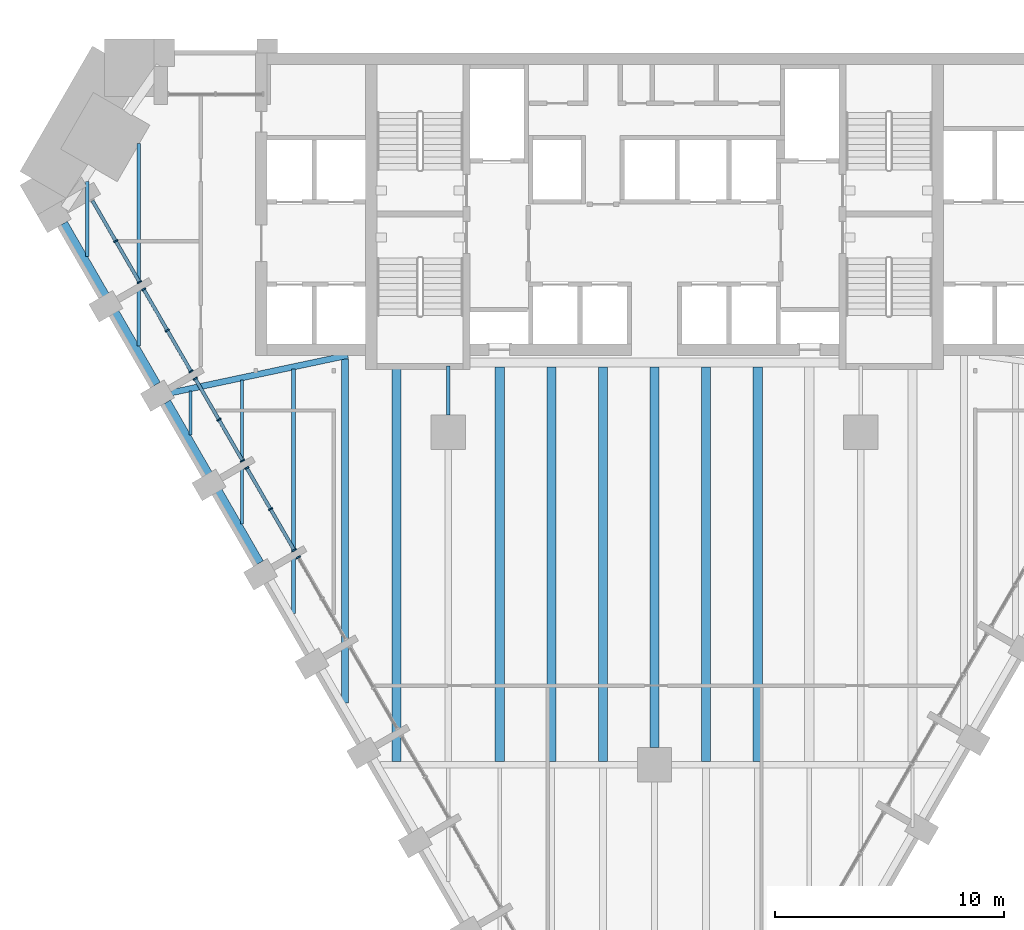
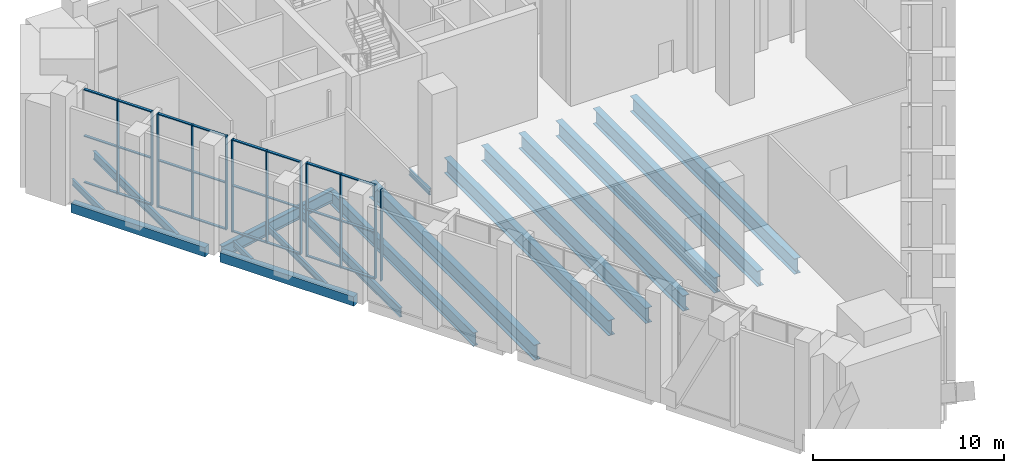
# One storey, part 5 of 17: 36 members, 17 beams, 5 elements without a shape of their own.
"""IFC4 building model written with IfcOpenShell, lengths in metres."""

from ifc_helpers import new_model, si_unit, direction, frame, origin, origin_2d, place, context, subcontext, project, spatial, rectangle, i_section, extrude, material, material_profile, profile_set, type_object, element, aggregate, save


model = new_model("IFC4")

# Units and contexts
model_context = context("Model", 3, precision=1e-05, world=origin(), true_north=direction((0.0, 1.0)))
body_context = subcontext(model_context, "Body", "Model", "MODEL_VIEW")
ifc_project = project(units=[si_unit("LENGTHUNIT", "METRE"), si_unit("AREAUNIT", "SQUARE_METRE"), si_unit("VOLUMEUNIT", "CUBIC_METRE"), si_unit("PLANEANGLEUNIT", "RADIAN"), si_unit("MASSUNIT", "GRAM", prefix="KILO")], contexts=[model_context])

# Site, building, storey
site_placement = place(None, origin())
site = spatial("IfcSite", under=ifc_project, at=site_placement, CompositionType="ELEMENT")
building_placement = place(site_placement, origin())
building = spatial("IfcBuilding", under=site, at=building_placement, Name="Calabash Gate Tower", CompositionType="ELEMENT")
storey_placement = place(building_placement, frame((0.0, 0.0, 132.60009765625)))
storey = spatial("IfcBuildingStorey", under=building, at=storey_placement, Name="L31", CompositionType="ELEMENT", Elevation=132.60009765625)

# Beams
ifc_material_1 = material(Name="Concrete C60/75", Category="concrete")
ifc_material_profile_1 = material_profile(ifc_material_1, rectangle(XDim=0.39990234375, YDim=0.60009765625, at=origin_2d()))
ifc_profile_set_1 = profile_set([ifc_material_profile_1], Name="Concrete C60/75")
beam_type_1 = type_object("IfcBeamType", Name="Edge beam RC 400x600 Concrete C60/75", PredefinedType="BEAM", material=ifc_profile_set_1)
beam_1_placement = place(storey_placement, frame((-25.7900390625, 11.60693359375, -0.47021484375), z_axis=(0.49989548915, -0.866085734744, 0.0), x_axis=(0.866085734744, 0.49989548915, 0.0)))
element("IfcBeam", 1, at=beam_1_placement, inside=storey, type_object=beam_type_1, Name="Edge beam L31 19", PredefinedType="BEAM", context=body_context, shape_type="SweptSolid", body=[
    extrude(rectangle(XDim=0.39990234375, YDim=0.60009765625, at=origin_2d()), origin(), (0.0, 0.0, 1.0), 8.101806640625),
])
beam_2_placement = place(storey_placement, frame((-21.2900390625, 3.81005859375, -0.47021484375), z_axis=(0.500039036678, -0.866002864775, 0.0), x_axis=(0.866002864775, 0.500039036678, 0.0)))
element("IfcBeam", 2, at=beam_2_placement, inside=storey, type_object=beam_type_1, Name="Edge beam L31 20", PredefinedType="BEAM", context=body_context, shape_type="SweptSolid", body=[
    extrude(rectangle(XDim=0.39990234375, YDim=0.60009765625, at=origin_2d()), origin(), (0.0, 0.0, 1.0), 8.099365234375),
])
ifc_material_2 = material(Name="Steel ASTM A992 Gr50", Category="steel")
ifc_material_profile_2 = material_profile(ifc_material_2, i_section(OverallWidth=0.1396484375, OverallDepth=0.398681640625, WebThickness=0.00634765625, FlangeThickness=0.0087890625, FilletRadius=0.01025390625, at=origin_2d()))
ifc_profile_set_2 = profile_set([ifc_material_profile_2], Name="Steel ASTM A992 Gr50")
beam_type_2 = type_object("IfcBeamType", Name="Floor beam W16x26 ASTM A992 Gr50", PredefinedType="BEAM", material=ifc_profile_set_2)
beam_3_placement = place(storey_placement, frame((-24.75, 10.1708984375, -0.369140625), z_axis=(0.0, 1.0, 0.0), x_axis=(-1.0, 0.0, 0.0)))
element("IfcBeam", 3, at=beam_3_placement, inside=storey, type_object=beam_type_2, Name="Floor beam L31 1", PredefinedType="BEAM", context=body_context, shape_type="SweptSolid", body=[
    extrude(i_section(OverallWidth=0.1396484375, OverallDepth=0.398681640625, WebThickness=0.00634765625, FlangeThickness=0.0087890625, FilletRadius=0.01025390625, at=origin_2d()), origin(), (0.0, 0.0, 1.0), 3.26513671875),
])
beam_4_placement = place(storey_placement, frame((-20.25, 2.376953125, -0.369140625), z_axis=(0.0, 1.0, 0.0), x_axis=(-1.0, 0.0, 0.0)))
element("IfcBeam", 4, at=beam_4_placement, inside=storey, type_object=beam_type_2, Name="Floor beam L31 3", PredefinedType="BEAM", context=body_context, shape_type="SweptSolid", body=[
    extrude(i_section(OverallWidth=0.1396484375, OverallDepth=0.398681640625, WebThickness=0.00634765625, FlangeThickness=0.0087890625, FilletRadius=0.01025390625, at=origin_2d()), origin(), (0.0, 0.0, 1.0), 1.924072265625),
])
beam_5_placement = place(storey_placement, frame((-18.0, -1.5, -0.369140625), z_axis=(0.0, 1.0, 0.0), x_axis=(-1.0, 0.0, 0.0)))
element("IfcBeam", 5, at=beam_5_placement, inside=storey, type_object=beam_type_2, Name="Floor beam L31 4", PredefinedType="BEAM", context=body_context, shape_type="SweptSolid", body=[
    extrude(i_section(OverallWidth=0.1396484375, OverallDepth=0.398681640625, WebThickness=0.00634765625, FlangeThickness=0.0087890625, FilletRadius=0.01025390625, at=origin_2d()), origin(), (0.0, 0.0, 1.0), 6.277099609375),
])
beam_6_placement = place(storey_placement, frame((-9.0, 3.25, -0.369140625), z_axis=(0.0, 1.0, 0.0), x_axis=(-1.0, 0.0, 0.0)))
element("IfcBeam", 6, at=beam_6_placement, inside=storey, type_object=beam_type_2, Name="Floor beam L31 10", PredefinedType="BEAM", context=body_context, shape_type="SweptSolid", body=[
    extrude(i_section(OverallWidth=0.1396484375, OverallDepth=0.398681640625, WebThickness=0.00634765625, FlangeThickness=0.0087890625, FilletRadius=0.01025390625, at=origin_2d()), origin(), (0.0, 0.0, 1.0), 2.153076171875),
])
ifc_material_3 = material(Name="Steel ASTM A992 Gr50", Category="steel")
ifc_material_profile_3 = material_profile(ifc_material_3, i_section(OverallWidth=0.166015625, OverallDepth=0.5283203125, WebThickness=0.009765625, FlangeThickness=0.013671875, FilletRadius=0.0126953125, at=origin_2d()))
ifc_profile_set_3 = profile_set([ifc_material_profile_3], Name="Steel ASTM A992 Gr50")
beam_type_3 = type_object("IfcBeamType", Name="Floor beam W21x50 ASTM A992 Gr50", PredefinedType="BEAM", material=ifc_profile_set_3)
beam_7_placement = place(storey_placement, frame((-22.5, 6.27392578125, -0.43408203125), z_axis=(0.0, 1.0, 0.0), x_axis=(-1.0, 0.0, 0.0)))
element("IfcBeam", 7, at=beam_7_placement, inside=storey, type_object=beam_type_3, Name="Floor beam L31 2", PredefinedType="BEAM", context=body_context, shape_type="SweptSolid", body=[
    extrude(i_section(OverallWidth=0.166015625, OverallDepth=0.5283203125, WebThickness=0.009765625, FlangeThickness=0.013671875, FilletRadius=0.0126953125, at=origin_2d()), origin(), (0.0, 0.0, 1.0), 8.822998046875),
])
ifc_material_4 = material(Name="Steel ASTM A992 Gr50", Category="steel")
ifc_material_profile_4 = material_profile(ifc_material_4, i_section(OverallWidth=0.1787109375, OverallDepth=0.60205078125, WebThickness=0.010986328125, FlangeThickness=0.014892578125, FilletRadius=0.0126953125, at=origin_2d()))
ifc_profile_set_4 = profile_set([ifc_material_profile_4], Name="Steel ASTM A992 Gr50")
beam_type_4 = type_object("IfcBeamType", Name="Floor beam W24x62 ASTM A992 Gr50", PredefinedType="BEAM", material=ifc_profile_set_4)
beam_8_placement = place(storey_placement, frame((-15.75, -5.39697265625, -0.47119140625), z_axis=(0.0, 1.0, 0.0), x_axis=(-1.0, 0.0, 0.0)))
element("IfcBeam", 8, at=beam_8_placement, inside=storey, type_object=beam_type_4, Name="Floor beam L31 5", PredefinedType="BEAM", context=body_context, shape_type="SweptSolid", body=[
    extrude(i_section(OverallWidth=0.1787109375, OverallDepth=0.60205078125, WebThickness=0.010986328125, FlangeThickness=0.014892578125, FilletRadius=0.0126953125, at=origin_2d()), origin(), (0.0, 0.0, 1.0), 10.65087890625),
])
ifc_material_5 = material(Name="Steel ASTM A992 Gr50", Category="steel")
ifc_material_profile_5 = material_profile(ifc_material_5, i_section(OverallWidth=0.2919921875, OverallDepth=0.845703125, WebThickness=0.015380859375, FlangeThickness=0.0244140625, FilletRadius=0.017822265625, at=origin_2d()))
ifc_profile_set_5 = profile_set([ifc_material_profile_5], Name="Steel ASTM A992 Gr50")
beam_type_5 = type_object("IfcBeamType", Name="Floor beam W33x141 ASTM A992 Gr50", PredefinedType="BEAM", material=ifc_profile_set_5)
beam_9_placement = place(storey_placement, frame((-13.5, -9.31396484375, -0.593017578125), z_axis=(0.0, 1.0, 0.0), x_axis=(-1.0, 0.0, 0.0)))
element("IfcBeam", 9, at=beam_9_placement, inside=storey, type_object=beam_type_5, Name="Floor beam L31 6", PredefinedType="BEAM", context=body_context, shape_type="SweptSolid", body=[
    extrude(i_section(OverallWidth=0.2919921875, OverallDepth=0.845703125, WebThickness=0.015380859375, FlangeThickness=0.0244140625, FilletRadius=0.017822265625, at=origin_2d()), origin(), (0.0, 0.0, 1.0), 15.02392578125),
])
ifc_material_6 = material(Name="Steel ASTM A992 Gr50", Category="steel")
ifc_material_profile_6 = material_profile(ifc_material_6, i_section(OverallWidth=0.4013671875, OverallDepth=0.990478515625, WebThickness=0.0166015625, FlangeThickness=0.031005859375, FilletRadius=0.030029296875, at=origin_2d()))
ifc_profile_set_6 = profile_set([ifc_material_profile_6], Name="Steel ASTM A992 Gr50")
beam_type_6 = type_object("IfcBeamType", Name="Floor beam W40x215 ASTM A992 Gr50", PredefinedType="BEAM", material=ifc_profile_set_6)
beam_10_placement = place(storey_placement, frame((-11.25, -11.866943359375, -0.6630859375), z_axis=(0.0, 1.0, 0.0), x_axis=(-1.0, 0.0, 0.0)))
element("IfcBeam", 10, at=beam_10_placement, inside=storey, type_object=beam_type_6, Name="Floor beam L31 7", PredefinedType="BEAM", context=body_context, shape_type="SweptSolid", body=[
    extrude(i_section(OverallWidth=0.4013671875, OverallDepth=0.990478515625, WebThickness=0.0166015625, FlangeThickness=0.031005859375, FilletRadius=0.030029296875, at=origin_2d()), origin(), (0.0, 0.0, 1.0), 17.27001953125),
])
for number, where, z_axis, x_axis, name in (
    (11, (-6.75, -11.866943359375, -0.6630859375), (0.0, 1.0, 0.0), (-1.0, 0.0, 0.0), "Floor beam L31 12"),
    (12, (-4.5, -11.866943359375, -0.6630859375), (0.0, 1.0, 0.0), (-1.0, 0.0, 0.0), "Floor beam L31 14"),
    (13, (-2.25, -11.866943359375, -0.6630859375), (0.0, 1.0, 0.0), (-1.0, 0.0, 0.0), "Floor beam L31 16"),
):
    element("IfcBeam", number, at=place(storey_placement, frame(where, z_axis=z_axis, x_axis=x_axis)), inside=storey, type_object=beam_type_6, Name=name, PredefinedType="BEAM", context=body_context, shape_type="SweptSolid", body=[
        extrude(i_section(OverallWidth=0.4013671875, OverallDepth=0.990478515625, WebThickness=0.0166015625, FlangeThickness=0.031005859375, FilletRadius=0.030029296875, at=origin_2d()), origin(), (0.0, 0.0, 1.0), 17.218994140625),
    ])
beam_11_placement = place(storey_placement, frame((0.0, -11.25, -0.6630859375), z_axis=(0.0, 1.0, 0.0), x_axis=(-1.0, 0.0, 0.0)))
element("IfcBeam", 14, at=beam_11_placement, inside=storey, type_object=beam_type_6, Name="Floor beam L31 18", PredefinedType="BEAM", context=body_context, shape_type="SweptSolid", body=[
    extrude(i_section(OverallWidth=0.4013671875, OverallDepth=0.990478515625, WebThickness=0.0166015625, FlangeThickness=0.031005859375, FilletRadius=0.030029296875, at=origin_2d()), origin(), (0.0, 0.0, 1.0), 16.60205078125),
])
for number, where, z_axis, x_axis, name in (
    (15, (2.25, -11.866943359375, -0.6630859375), (0.0, 1.0, 0.0), (-1.0, 0.0, 0.0), "Floor beam L31 20"),
    (16, (4.5, -11.866943359375, -0.6630859375), (0.0, 1.0, 0.0), (-1.0, 0.0, 0.0), "Floor beam L31 22"),
):
    element("IfcBeam", number, at=place(storey_placement, frame(where, z_axis=z_axis, x_axis=x_axis)), inside=storey, type_object=beam_type_6, Name=name, PredefinedType="BEAM", context=body_context, shape_type="SweptSolid", body=[
        extrude(i_section(OverallWidth=0.4013671875, OverallDepth=0.990478515625, WebThickness=0.0166015625, FlangeThickness=0.031005859375, FilletRadius=0.030029296875, at=origin_2d()), origin(), (0.0, 0.0, 1.0), 17.218994140625),
    ])
ifc_material_7 = material(Name="Steel ASTM A992 Gr50", Category="steel")
ifc_material_profile_7 = material_profile(ifc_material_7, i_section(OverallWidth=0.2666015625, OverallDepth=0.77978515625, WebThickness=0.0166015625, FlangeThickness=0.030029296875, FilletRadius=0.0166015625, at=origin_2d()))
ifc_profile_set_7 = profile_set([ifc_material_profile_7], Name="Steel ASTM A992 Gr50")
beam_type_7 = type_object("IfcBeamType", Name="Girder W30x148 ASTM A992 Gr50", PredefinedType="BEAM", material=ifc_profile_set_7)
beam_12_placement = place(storey_placement, frame((-21.092041015625, 4.22607421875, -0.56005859375), z_axis=(0.978296589788, 0.207209513317, 0.0), x_axis=(-0.207209513317, 0.978296589788, 0.0)))
element("IfcBeam", 17, at=beam_12_placement, inside=storey, type_object=beam_type_7, Name="Girder L31 2", PredefinedType="BEAM", context=body_context, shape_type="SweptSolid", body=[
    extrude(i_section(OverallWidth=0.2666015625, OverallDepth=0.77978515625, WebThickness=0.0166015625, FlangeThickness=0.030029296875, FilletRadius=0.0166015625, at=origin_2d()), origin(), (0.0, 0.0, 1.0), 7.880126953125),
])

# Curtain wall, members
ifc_material_8 = material(Name="Anodised aluminium frame, bronze finish, clear laminated low-emissivity glazing", Category="aluminium")
curtain_wall_type = type_object("IfcCurtainWallType", Name="Curtain wall CWS sky lobby wall", PredefinedType="NOTDEFINED", material=ifc_material_8)
curtain_wall_1_placement = place(storey_placement, origin())
curtain_wall_1 = element("IfcCurtainWall", 18, at=curtain_wall_1_placement, inside=storey, type_object=curtain_wall_type, Name="Curtain wall CWS L31 SW0.1", PredefinedType="NOTDEFINED")
ifc_material_9 = material(Name="Anodised aluminium frame, bronze finish", Category="aluminium")
ifc_material_profile_8 = material_profile(ifc_material_9, rectangle(XDim=0.199951171875, YDim=0.06494140625, at=origin_2d()))
ifc_profile_set_8 = profile_set([ifc_material_profile_8], Name="Anodised aluminium frame, bronze finish")
member_type_1 = type_object("IfcMemberType", Name="Mullion CWS 65x200", PredefinedType="MULLION", material=ifc_profile_set_8)
member_1_placement = place(storey_placement, frame((-23.50439453125, 10.845947265625, 0.0), z_axis=(0.0, 0.0, 1.0), x_axis=(0.866025362359, 0.500000071751, 0.0)))
member_1 = element("IfcMember", 19, at=member_1_placement, type_object=member_type_1, Name="CWS mullion 2", PredefinedType="MULLION", context=body_context, shape_type="SweptSolid", body=[
    extrude(rectangle(XDim=0.199951171875, YDim=0.06494140625, at=origin_2d()), origin(), (0.0, 0.0, 1.0), 6.0),
])
member_2_placement = place(storey_placement, frame((-22.470703125, 9.055419921875, 0.0), z_axis=(0.0, 0.0, 1.0), x_axis=(0.866025362359, 0.500000071751, 0.0)))
member_2 = element("IfcMember", 20, at=member_2_placement, type_object=member_type_1, Name="CWS mullion 3", PredefinedType="MULLION", context=body_context, shape_type="SweptSolid", body=[
    extrude(rectangle(XDim=0.199951171875, YDim=0.06494140625, at=origin_2d()), origin(), (0.0, 0.0, 1.0), 6.0),
])

curtain_wall_2_placement = place(storey_placement, origin())
curtain_wall_2 = element("IfcCurtainWall", 21, at=curtain_wall_2_placement, inside=storey, type_object=curtain_wall_type, Name="Curtain wall CWS L31 SW0.2", PredefinedType="NOTDEFINED")
member_3_placement = place(storey_placement, frame((-22.2880859375, 8.7392578125, 0.0), z_axis=(0.0, 0.0, 1.0), x_axis=(0.866025421884, 0.499999968652, 0.0)))
member_3 = element("IfcMember", 22, at=member_3_placement, type_object=member_type_1, Name="CWS mullion 1", PredefinedType="MULLION", context=body_context, shape_type="SweptSolid", body=[
    extrude(rectangle(XDim=0.199951171875, YDim=0.06494140625, at=origin_2d()), origin(), (0.0, 0.0, 1.0), 6.0),
])
member_4_placement = place(storey_placement, frame((-21.25439453125, 6.94873046875, 0.0), z_axis=(0.0, 0.0, 1.0), x_axis=(0.866025421884, 0.499999968652, 0.0)))
member_4 = element("IfcMember", 23, at=member_4_placement, type_object=member_type_1, Name="CWS mullion 2", PredefinedType="MULLION", context=body_context, shape_type="SweptSolid", body=[
    extrude(rectangle(XDim=0.199951171875, YDim=0.06494140625, at=origin_2d()), origin(), (0.0, 0.0, 1.0), 6.0),
])
member_5_placement = place(storey_placement, frame((-20.220703125, 5.158203125, 0.0), z_axis=(0.0, 0.0, 1.0), x_axis=(0.866025421884, 0.499999968652, 0.0)))
member_5 = element("IfcMember", 24, at=member_5_placement, type_object=member_type_1, Name="CWS mullion 3", PredefinedType="MULLION", context=body_context, shape_type="SweptSolid", body=[
    extrude(rectangle(XDim=0.199951171875, YDim=0.06494140625, at=origin_2d()), origin(), (0.0, 0.0, 1.0), 6.0),
])

curtain_wall_3_placement = place(storey_placement, origin())
curtain_wall_3 = element("IfcCurtainWall", 25, at=curtain_wall_3_placement, inside=storey, type_object=curtain_wall_type, Name="Curtain wall CWS L31 SW0.3", PredefinedType="NOTDEFINED")
member_6_placement = place(storey_placement, frame((-20.0380859375, 4.842041015625, 0.0), z_axis=(0.0, 0.0, 1.0), x_axis=(0.866025421884, 0.499999968652, 0.0)))
member_6 = element("IfcMember", 26, at=member_6_placement, type_object=member_type_1, Name="CWS mullion 1", PredefinedType="MULLION", context=body_context, shape_type="SweptSolid", body=[
    extrude(rectangle(XDim=0.199951171875, YDim=0.06494140625, at=origin_2d()), origin(), (0.0, 0.0, 1.0), 5.919921875),
])
member_7_placement = place(storey_placement, frame((-19.00439453125, 3.051513671875, 0.0), z_axis=(0.0, 0.0, 1.0), x_axis=(0.866025421884, 0.499999968652, 0.0)))
member_7 = element("IfcMember", 27, at=member_7_placement, type_object=member_type_1, Name="CWS mullion 2", PredefinedType="MULLION", context=body_context, shape_type="SweptSolid", body=[
    extrude(rectangle(XDim=0.199951171875, YDim=0.06494140625, at=origin_2d()), origin(), (0.0, 0.0, 1.0), 5.919921875),
])
member_8_placement = place(storey_placement, frame((-17.970703125, 1.26123046875, 0.0), z_axis=(0.0, 0.0, 1.0), x_axis=(0.866025421884, 0.499999968652, 0.0)))
member_8 = element("IfcMember", 28, at=member_8_placement, type_object=member_type_1, Name="CWS mullion 3", PredefinedType="MULLION", context=body_context, shape_type="SweptSolid", body=[
    extrude(rectangle(XDim=0.199951171875, YDim=0.06494140625, at=origin_2d()), origin(), (0.0, 0.0, 1.0), 5.919921875),
])

curtain_wall_4_placement = place(storey_placement, origin())
curtain_wall_4 = element("IfcCurtainWall", 29, at=curtain_wall_4_placement, inside=storey, type_object=curtain_wall_type, Name="Curtain wall CWS L31 SW0.4", PredefinedType="NOTDEFINED")
member_9_placement = place(storey_placement, frame((-17.7880859375, 0.945068359375, 0.0), z_axis=(0.0, 0.0, 1.0), x_axis=(0.866025362359, 0.500000071751, 0.0)))
member_9 = element("IfcMember", 30, at=member_9_placement, type_object=member_type_1, Name="CWS mullion 1", PredefinedType="MULLION", context=body_context, shape_type="SweptSolid", body=[
    extrude(rectangle(XDim=0.199951171875, YDim=0.06494140625, at=origin_2d()), origin(), (0.0, 0.0, 1.0), 6.0),
])
member_10_placement = place(storey_placement, frame((-16.75439453125, -0.845458984375, 0.0), z_axis=(0.0, 0.0, 1.0), x_axis=(0.866025362359, 0.500000071751, 0.0)))
member_10 = element("IfcMember", 31, at=member_10_placement, type_object=member_type_1, Name="CWS mullion 2", PredefinedType="MULLION", context=body_context, shape_type="SweptSolid", body=[
    extrude(rectangle(XDim=0.199951171875, YDim=0.06494140625, at=origin_2d()), origin(), (0.0, 0.0, 1.0), 6.0),
])
member_11_placement = place(storey_placement, frame((-15.720703125, -2.635986328125, 0.0), z_axis=(0.0, 0.0, 1.0), x_axis=(0.866025362359, 0.500000071751, 0.0)))
member_11 = element("IfcMember", 32, at=member_11_placement, type_object=member_type_1, Name="CWS mullion 3", PredefinedType="MULLION", context=body_context, shape_type="SweptSolid", body=[
    extrude(rectangle(XDim=0.199951171875, YDim=0.06494140625, at=origin_2d()), origin(), (0.0, 0.0, 1.0), 6.0),
])

# Curtain wall, member
curtain_wall_5_placement = place(storey_placement, origin())
curtain_wall_5 = element("IfcCurtainWall", 33, at=curtain_wall_5_placement, inside=storey, type_object=curtain_wall_type, Name="Curtain wall CWS L31 SW0.5", PredefinedType="NOTDEFINED")
member_12_placement = place(storey_placement, frame((-15.5380859375, -2.9521484375, 0.0), z_axis=(0.0, 0.0, 1.0), x_axis=(0.866025421884, 0.499999968652, 0.0)))
member_12 = element("IfcMember", 34, at=member_12_placement, type_object=member_type_1, Name="CWS mullion 1", PredefinedType="MULLION", context=body_context, shape_type="SweptSolid", body=[
    extrude(rectangle(XDim=0.199951171875, YDim=0.06494140625, at=origin_2d()), origin(), (0.0, 0.0, 1.0), 5.85400390625),
])
aggregate(curtain_wall_5, [member_12])

# Member
ifc_material_10 = material(Name="Anodised aluminium frame, bronze finish", Category="aluminium")
ifc_material_profile_9 = material_profile(ifc_material_10, rectangle(XDim=0.14990234375, YDim=0.06494140625, at=origin_2d()))
ifc_profile_set_9 = profile_set([ifc_material_profile_9], Name="Anodised aluminium frame, bronze finish")
member_type_2 = type_object("IfcMemberType", Name="Transom CWS 65x150", PredefinedType="USERDEFINED", material=ifc_profile_set_9)
member_13_placement = place(storey_placement, frame((-24.521728515625, 12.608154296875, 0.032470703125), z_axis=(0.500007410291, -0.866021125408, 0.0), x_axis=(0.866021125408, 0.500007410291, 0.0)))
member_13 = element("IfcMember", 35, at=member_13_placement, type_object=member_type_2, Name="CWS transom 1.1", ObjectType="TRANSOM", PredefinedType="USERDEFINED", context=body_context, shape_type="SweptSolid", body=[
    extrude(rectangle(XDim=0.14990234375, YDim=0.06494140625, at=origin_2d()), origin(), (0.0, 0.0, 1.0), 2.00244140625),
])

member_14_placement = place(storey_placement, frame((-24.521728515625, 12.608154296875, 3.0), z_axis=(0.500007410291, -0.866021125408, 0.0), x_axis=(0.866021125408, 0.500007410291, 0.0)))
member_14 = element("IfcMember", 36, at=member_14_placement, type_object=member_type_2, Name="CWS transom 1.2", ObjectType="TRANSOM", PredefinedType="USERDEFINED", context=body_context, shape_type="SweptSolid", body=[
    extrude(rectangle(XDim=0.14990234375, YDim=0.06494140625, at=origin_2d()), origin(), (0.0, 0.0, 1.0), 2.00244140625),
])

member_15_placement = place(storey_placement, frame((-24.521728515625, 12.608154296875, 5.96728515625), z_axis=(0.500007410291, -0.866021125408, 0.0), x_axis=(0.866021125408, 0.500007410291, 0.0)))
member_15 = element("IfcMember", 37, at=member_15_placement, type_object=member_type_2, Name="CWS transom 1.3", ObjectType="TRANSOM", PredefinedType="USERDEFINED", context=body_context, shape_type="SweptSolid", body=[
    extrude(rectangle(XDim=0.14990234375, YDim=0.06494140625, at=origin_2d()), origin(), (0.0, 0.0, 1.0), 2.00244140625),
])

member_16_placement = place(storey_placement, frame((-23.488037109375, 10.817626953125, 0.032470703125), z_axis=(0.500007410291, -0.866021125408, 0.0), x_axis=(0.866021125408, 0.500007410291, 0.0)))
member_16 = element("IfcMember", 38, at=member_16_placement, type_object=member_type_2, Name="CWS transom 2.1", ObjectType="TRANSOM", PredefinedType="USERDEFINED", context=body_context, shape_type="SweptSolid", body=[
    extrude(rectangle(XDim=0.14990234375, YDim=0.06494140625, at=origin_2d()), origin(), (0.0, 0.0, 1.0), 2.00244140625),
])

member_17_placement = place(storey_placement, frame((-23.488037109375, 10.817626953125, 3.0), z_axis=(0.500007410291, -0.866021125408, 0.0), x_axis=(0.866021125408, 0.500007410291, 0.0)))
member_17 = element("IfcMember", 39, at=member_17_placement, type_object=member_type_2, Name="CWS transom 2.2", ObjectType="TRANSOM", PredefinedType="USERDEFINED", context=body_context, shape_type="SweptSolid", body=[
    extrude(rectangle(XDim=0.14990234375, YDim=0.06494140625, at=origin_2d()), origin(), (0.0, 0.0, 1.0), 2.00244140625),
])

member_18_placement = place(storey_placement, frame((-23.488037109375, 10.817626953125, 5.96728515625), z_axis=(0.500007410291, -0.866021125408, 0.0), x_axis=(0.866021125408, 0.500007410291, 0.0)))
member_18 = element("IfcMember", 40, at=member_18_placement, type_object=member_type_2, Name="CWS transom 2.3", ObjectType="TRANSOM", PredefinedType="USERDEFINED", context=body_context, shape_type="SweptSolid", body=[
    extrude(rectangle(XDim=0.14990234375, YDim=0.06494140625, at=origin_2d()), origin(), (0.0, 0.0, 1.0), 2.00244140625),
])

aggregate(curtain_wall_1, [member_1, member_2, member_13, member_14, member_15, member_16, member_17, member_18])

member_19_placement = place(storey_placement, frame((-22.271728515625, 8.711181640625, 0.032470703125), z_axis=(0.499954620082, -0.866051602307, 0.0), x_axis=(0.866051602307, 0.499954620082, 0.0)))
member_19 = element("IfcMember", 41, at=member_19_placement, type_object=member_type_2, Name="CWS transom 1.1", ObjectType="TRANSOM", PredefinedType="USERDEFINED", context=body_context, shape_type="SweptSolid", body=[
    extrude(rectangle(XDim=0.14990234375, YDim=0.06494140625, at=origin_2d()), origin(), (0.0, 0.0, 1.0), 2.002685546875),
])

member_20_placement = place(storey_placement, frame((-22.271728515625, 8.711181640625, 3.0), z_axis=(0.499954620082, -0.866051602307, 0.0), x_axis=(0.866051602307, 0.499954620082, 0.0)))
member_20 = element("IfcMember", 42, at=member_20_placement, type_object=member_type_2, Name="CWS transom 1.2", ObjectType="TRANSOM", PredefinedType="USERDEFINED", context=body_context, shape_type="SweptSolid", body=[
    extrude(rectangle(XDim=0.14990234375, YDim=0.06494140625, at=origin_2d()), origin(), (0.0, 0.0, 1.0), 2.002685546875),
])

member_21_placement = place(storey_placement, frame((-22.271728515625, 8.711181640625, 5.96728515625), z_axis=(0.499954620082, -0.866051602307, 0.0), x_axis=(0.866051602307, 0.499954620082, 0.0)))
member_21 = element("IfcMember", 43, at=member_21_placement, type_object=member_type_2, Name="CWS transom 1.3", ObjectType="TRANSOM", PredefinedType="USERDEFINED", context=body_context, shape_type="SweptSolid", body=[
    extrude(rectangle(XDim=0.14990234375, YDim=0.06494140625, at=origin_2d()), origin(), (0.0, 0.0, 1.0), 2.002685546875),
])

member_22_placement = place(storey_placement, frame((-21.238037109375, 6.920654296875, 0.032470703125), z_axis=(0.499954620082, -0.866051602307, 0.0), x_axis=(0.866051602307, 0.499954620082, 0.0)))
member_22 = element("IfcMember", 44, at=member_22_placement, type_object=member_type_2, Name="CWS transom 2.1", ObjectType="TRANSOM", PredefinedType="USERDEFINED", context=body_context, shape_type="SweptSolid", body=[
    extrude(rectangle(XDim=0.14990234375, YDim=0.06494140625, at=origin_2d()), origin(), (0.0, 0.0, 1.0), 2.002685546875),
])

member_23_placement = place(storey_placement, frame((-21.238037109375, 6.920654296875, 3.0), z_axis=(0.499954620082, -0.866051602307, 0.0), x_axis=(0.866051602307, 0.499954620082, 0.0)))
member_23 = element("IfcMember", 45, at=member_23_placement, type_object=member_type_2, Name="CWS transom 2.2", ObjectType="TRANSOM", PredefinedType="USERDEFINED", context=body_context, shape_type="SweptSolid", body=[
    extrude(rectangle(XDim=0.14990234375, YDim=0.06494140625, at=origin_2d()), origin(), (0.0, 0.0, 1.0), 2.002685546875),
])

member_24_placement = place(storey_placement, frame((-21.238037109375, 6.920654296875, 5.96728515625), z_axis=(0.499954620082, -0.866051602307, 0.0), x_axis=(0.866051602307, 0.499954620082, 0.0)))
member_24 = element("IfcMember", 46, at=member_24_placement, type_object=member_type_2, Name="CWS transom 2.3", ObjectType="TRANSOM", PredefinedType="USERDEFINED", context=body_context, shape_type="SweptSolid", body=[
    extrude(rectangle(XDim=0.14990234375, YDim=0.06494140625, at=origin_2d()), origin(), (0.0, 0.0, 1.0), 2.002685546875),
])

aggregate(curtain_wall_2, [member_3, member_4, member_5, member_19, member_20, member_21, member_22, member_23, member_24])

member_25_placement = place(storey_placement, frame((-20.021728515625, 4.81396484375, 0.032470703125), z_axis=(0.500007410291, -0.866021125408, 0.0), x_axis=(0.866021125408, 0.500007410291, 0.0)))
member_25 = element("IfcMember", 47, at=member_25_placement, type_object=member_type_2, Name="CWS transom 1.1", ObjectType="TRANSOM", PredefinedType="USERDEFINED", context=body_context, shape_type="SweptSolid", body=[
    extrude(rectangle(XDim=0.14990234375, YDim=0.06494140625, at=origin_2d()), origin(), (0.0, 0.0, 1.0), 2.00244140625),
])

member_26_placement = place(storey_placement, frame((-20.021728515625, 4.81396484375, 2.9599609375), z_axis=(0.500007410291, -0.866021125408, 0.0), x_axis=(0.866021125408, 0.500007410291, 0.0)))
member_26 = element("IfcMember", 48, at=member_26_placement, type_object=member_type_2, Name="CWS transom 1.2", ObjectType="TRANSOM", PredefinedType="USERDEFINED", context=body_context, shape_type="SweptSolid", body=[
    extrude(rectangle(XDim=0.14990234375, YDim=0.06494140625, at=origin_2d()), origin(), (0.0, 0.0, 1.0), 2.00244140625),
])

member_27_placement = place(storey_placement, frame((-20.021728515625, 4.81396484375, 5.887451171875), z_axis=(0.500007410291, -0.866021125408, 0.0), x_axis=(0.866021125408, 0.500007410291, 0.0)))
member_27 = element("IfcMember", 49, at=member_27_placement, type_object=member_type_2, Name="CWS transom 1.3", ObjectType="TRANSOM", PredefinedType="USERDEFINED", context=body_context, shape_type="SweptSolid", body=[
    extrude(rectangle(XDim=0.14990234375, YDim=0.06494140625, at=origin_2d()), origin(), (0.0, 0.0, 1.0), 2.00244140625),
])

member_28_placement = place(storey_placement, frame((-18.988037109375, 3.0234375, 0.032470703125), z_axis=(0.500007410291, -0.866021125408, 0.0), x_axis=(0.866021125408, 0.500007410291, 0.0)))
member_28 = element("IfcMember", 50, at=member_28_placement, type_object=member_type_2, Name="CWS transom 2.1", ObjectType="TRANSOM", PredefinedType="USERDEFINED", context=body_context, shape_type="SweptSolid", body=[
    extrude(rectangle(XDim=0.14990234375, YDim=0.06494140625, at=origin_2d()), origin(), (0.0, 0.0, 1.0), 2.00244140625),
])

member_29_placement = place(storey_placement, frame((-18.988037109375, 3.0234375, 2.9599609375), z_axis=(0.500007410291, -0.866021125408, 0.0), x_axis=(0.866021125408, 0.500007410291, 0.0)))
member_29 = element("IfcMember", 51, at=member_29_placement, type_object=member_type_2, Name="CWS transom 2.2", ObjectType="TRANSOM", PredefinedType="USERDEFINED", context=body_context, shape_type="SweptSolid", body=[
    extrude(rectangle(XDim=0.14990234375, YDim=0.06494140625, at=origin_2d()), origin(), (0.0, 0.0, 1.0), 2.00244140625),
])

member_30_placement = place(storey_placement, frame((-18.988037109375, 3.0234375, 5.887451171875), z_axis=(0.500007410291, -0.866021125408, 0.0), x_axis=(0.866021125408, 0.500007410291, 0.0)))
member_30 = element("IfcMember", 52, at=member_30_placement, type_object=member_type_2, Name="CWS transom 2.3", ObjectType="TRANSOM", PredefinedType="USERDEFINED", context=body_context, shape_type="SweptSolid", body=[
    extrude(rectangle(XDim=0.14990234375, YDim=0.06494140625, at=origin_2d()), origin(), (0.0, 0.0, 1.0), 2.00244140625),
])

aggregate(curtain_wall_3, [member_6, member_7, member_8, member_25, member_26, member_27, member_28, member_29, member_30])

member_31_placement = place(storey_placement, frame((-17.771728515625, 0.9169921875, 0.032470703125), z_axis=(0.499954620082, -0.866051602307, 0.0), x_axis=(0.866051602307, 0.499954620082, 0.0)))
member_31 = element("IfcMember", 53, at=member_31_placement, type_object=member_type_2, Name="CWS transom 1.1", ObjectType="TRANSOM", PredefinedType="USERDEFINED", context=body_context, shape_type="SweptSolid", body=[
    extrude(rectangle(XDim=0.14990234375, YDim=0.06494140625, at=origin_2d()), origin(), (0.0, 0.0, 1.0), 2.002685546875),
])

member_32_placement = place(storey_placement, frame((-17.771728515625, 0.9169921875, 3.0), z_axis=(0.499954620082, -0.866051602307, 0.0), x_axis=(0.866051602307, 0.499954620082, 0.0)))
member_32 = element("IfcMember", 54, at=member_32_placement, type_object=member_type_2, Name="CWS transom 1.2", ObjectType="TRANSOM", PredefinedType="USERDEFINED", context=body_context, shape_type="SweptSolid", body=[
    extrude(rectangle(XDim=0.14990234375, YDim=0.06494140625, at=origin_2d()), origin(), (0.0, 0.0, 1.0), 2.002685546875),
])

member_33_placement = place(storey_placement, frame((-17.771728515625, 0.9169921875, 5.96728515625), z_axis=(0.499954620082, -0.866051602307, 0.0), x_axis=(0.866051602307, 0.499954620082, 0.0)))
member_33 = element("IfcMember", 55, at=member_33_placement, type_object=member_type_2, Name="CWS transom 1.3", ObjectType="TRANSOM", PredefinedType="USERDEFINED", context=body_context, shape_type="SweptSolid", body=[
    extrude(rectangle(XDim=0.14990234375, YDim=0.06494140625, at=origin_2d()), origin(), (0.0, 0.0, 1.0), 2.002685546875),
])

member_34_placement = place(storey_placement, frame((-16.738037109375, -0.87353515625, 0.032470703125), z_axis=(0.499954620082, -0.866051602307, 0.0), x_axis=(0.866051602307, 0.499954620082, 0.0)))
member_34 = element("IfcMember", 56, at=member_34_placement, type_object=member_type_2, Name="CWS transom 2.1", ObjectType="TRANSOM", PredefinedType="USERDEFINED", context=body_context, shape_type="SweptSolid", body=[
    extrude(rectangle(XDim=0.14990234375, YDim=0.06494140625, at=origin_2d()), origin(), (0.0, 0.0, 1.0), 2.002685546875),
])

member_35_placement = place(storey_placement, frame((-16.738037109375, -0.87353515625, 3.0), z_axis=(0.499954620082, -0.866051602307, 0.0), x_axis=(0.866051602307, 0.499954620082, 0.0)))
member_35 = element("IfcMember", 57, at=member_35_placement, type_object=member_type_2, Name="CWS transom 2.2", ObjectType="TRANSOM", PredefinedType="USERDEFINED", context=body_context, shape_type="SweptSolid", body=[
    extrude(rectangle(XDim=0.14990234375, YDim=0.06494140625, at=origin_2d()), origin(), (0.0, 0.0, 1.0), 2.002685546875),
])

member_36_placement = place(storey_placement, frame((-16.738037109375, -0.87353515625, 5.96728515625), z_axis=(0.499954620082, -0.866051602307, 0.0), x_axis=(0.866051602307, 0.499954620082, 0.0)))
member_36 = element("IfcMember", 58, at=member_36_placement, type_object=member_type_2, Name="CWS transom 2.3", ObjectType="TRANSOM", PredefinedType="USERDEFINED", context=body_context, shape_type="SweptSolid", body=[
    extrude(rectangle(XDim=0.14990234375, YDim=0.06494140625, at=origin_2d()), origin(), (0.0, 0.0, 1.0), 2.002685546875),
])

aggregate(curtain_wall_4, [member_9, member_10, member_11, member_31, member_32, member_33, member_34, member_35, member_36])

save(model, "model.ifc")
